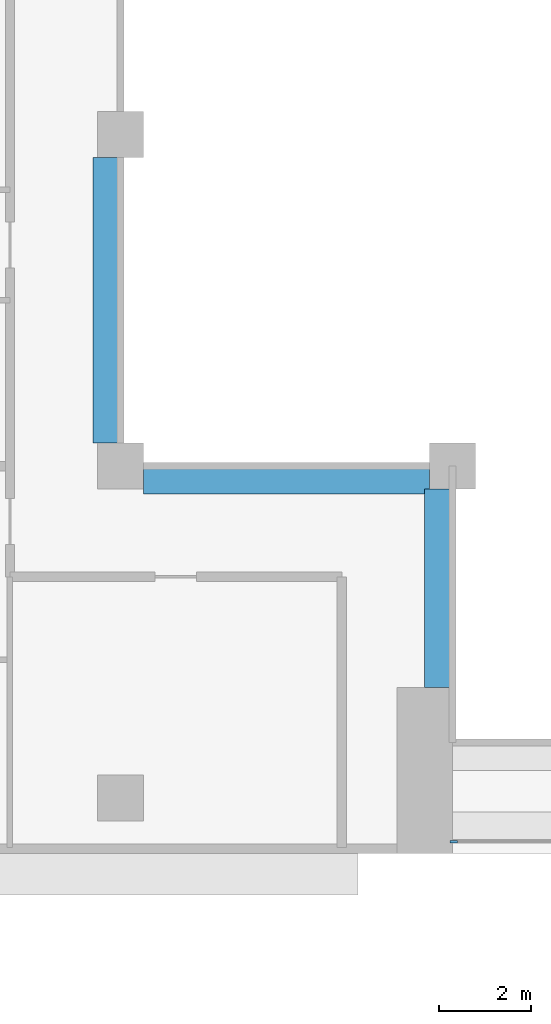
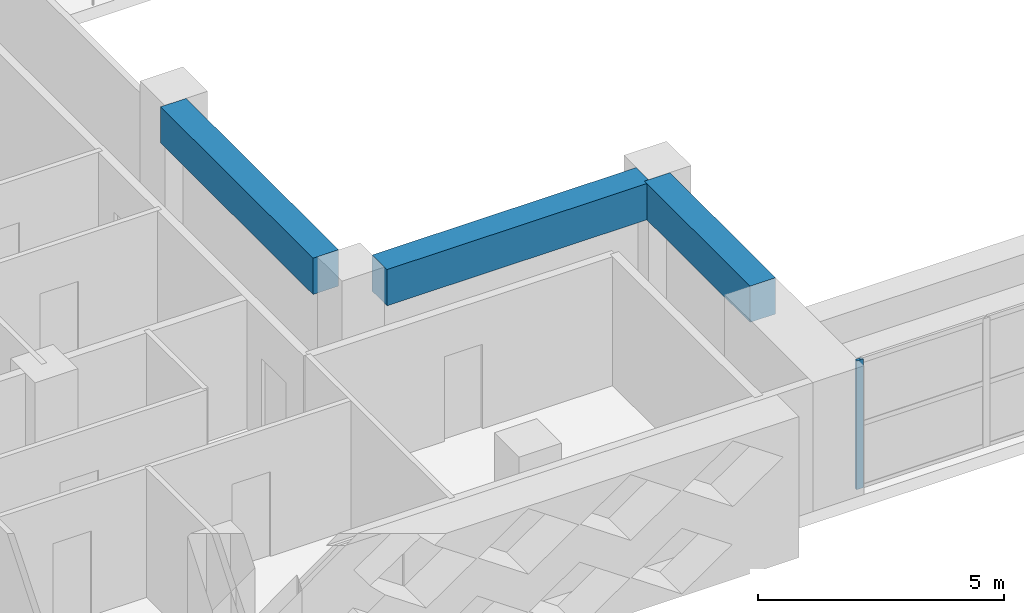
# One storey, part 2 of 20: 3 beams, 1 member, 1 element without a shape of its own.
"""IFC4 building model written with IfcOpenShell, lengths in metres."""

from ifc_helpers import new_model, si_unit, direction, frame, origin, origin_2d, place, context, subcontext, project, spatial, rectangle, extrude, source, transform, mapped, material, layer, layer_set, material_profile, profile_set, type_object, element, aggregate, save


model = new_model("IFC4")

# Units and contexts
model_context = context("Model", 3, precision=1e-05, world=origin(), true_north=direction((0.0, 1.0)))
body_context = subcontext(model_context, "Body", "Model", "MODEL_VIEW")
ifc_project = project(units=[si_unit("LENGTHUNIT", "METRE"), si_unit("AREAUNIT", "SQUARE_METRE"), si_unit("VOLUMEUNIT", "CUBIC_METRE"), si_unit("PLANEANGLEUNIT", "RADIAN"), si_unit("MASSUNIT", "GRAM", prefix="KILO")], contexts=[model_context])

# Site, building, storey
site_placement = place(None, origin())
site = spatial("IfcSite", under=ifc_project, at=site_placement, CompositionType="ELEMENT")
building_placement = place(site_placement, origin())
building = spatial("IfcBuilding", under=site, at=building_placement, Name="Saffron Iwan Residences", CompositionType="ELEMENT")
storey_placement = place(building_placement, frame((0.0, 0.0, 143.0)))
storey = spatial("IfcBuildingStorey", under=building, at=storey_placement, Name="L37", CompositionType="ELEMENT", Elevation=143.0)

# Beams
ifc_material_1 = material(Name="Concrete C50/60", Category="concrete")
ifc_material_profile_1 = material_profile(ifc_material_1, rectangle(XDim=0.60009765625, YDim=0.89990234375, at=origin_2d()), Name="RC 600x900")
ifc_profile_set_1 = profile_set([ifc_material_profile_1], Name="Concrete C50/60")
beam_type = type_object("IfcBeamType", Name="BEAM RC 600x900 C50/60 TOP 3200", PredefinedType="BEAM", material=ifc_profile_set_1)
shared_shape_1 = source(origin(), body_context, "Body", "SweptSolid", [
    extrude(rectangle(XDim=0.60009765625, YDim=0.89990234375, at=origin_2d()), origin(), (0.0, 0.0, 1.0), 4.300048828125),
])
beam_placement = place(storey_placement, frame((42.89990234375, 43.199951171875, 2.75), z_axis=(0.0, 1.0, 0.0), x_axis=(-1.0, 0.0, 0.0)))
element("IfcBeam", 1, at=beam_placement, inside=storey, type_object=beam_type, Name="Atrium edge beam", PredefinedType="BEAM", context=body_context, shape_type="MappedRepresentation", body=[
    mapped(shared_shape_1, transform((0.0, 0.0, 0.0))),
])
shared_shape_2 = source(origin(), body_context, "Body", "SweptSolid", [
    extrude(rectangle(XDim=0.60009765625, YDim=0.89990234375, at=origin_2d()), origin(), (0.0, 0.0, 1.0), 6.199951171875),
])
for number, where, z_axis, x_axis, name in (
    (2, (42.699951171875, 47.699951171875, 2.75), (-1.0, 0.0, 0.0), (0.0, -1.0, 0.0), "Atrium edge beam"),
    (3, (35.699951171875, 48.5, 2.75), (0.0, 1.0, 0.0), (-1.0, 0.0, 0.0), "Atrium edge beam"),
):
    element("IfcBeam", number, at=place(storey_placement, frame(where, z_axis=z_axis, x_axis=x_axis)), inside=storey, type_object=beam_type, Name=name, PredefinedType="BEAM", context=body_context, shape_type="MappedRepresentation", body=[
        mapped(shared_shape_2, transform((0.0, 0.0, 0.0))),
    ])

# Curtain wall, member
ifc_material_2 = material(Name="Clear glass, laminated double glazed", Category="glass")
ifc_layer = layer(ifc_material_2, 0.199951171875)
ifc_layer_set = layer_set([ifc_layer], Name="Clear glass, laminated double glazed")
curtain_wall_type = type_object("IfcCurtainWallType", Name="CW-B IWAN PORTAL", PredefinedType="NOTDEFINED", material=ifc_layer_set)
curtain_wall_placement = place(storey_placement, origin())
curtain_wall = element("IfcCurtainWall", 4, at=curtain_wall_placement, inside=storey, type_object=curtain_wall_type, Name="Iwan portal glazing L37.1", PredefinedType="NOTDEFINED")
ifc_material_3 = material(Name="Aluminium 6063-T6", Category="aluminium")
ifc_material_profile_2 = material_profile(ifc_material_3, rectangle(XDim=0.06005859375, YDim=0.159912109375, at=origin_2d()), Name="CW-B MULLION 60 x 160")
ifc_profile_set_2 = profile_set([ifc_material_profile_2], Name="Aluminium 6063-T6")
member_type = type_object("IfcMemberType", Name="CW-B MULLION 60 x 160", PredefinedType="MULLION", material=ifc_profile_set_2)
shared_shape_3 = source(origin(), body_context, "Body", "SweptSolid", [
    extrude(rectangle(XDim=0.06005859375, YDim=0.159912109375, at=origin_2d()), origin(), (0.0, 0.0, 1.0), 3.199951171875),
])
member_placement = place(storey_placement, frame((43.22998046875, 39.85009765625, 0.0), z_axis=(0.0, 0.0, 1.0), x_axis=(0.0, 1.0, 0.0)))
member = element("IfcMember", 5, at=member_placement, type_object=member_type, Name="CW-B mullion 1", PredefinedType="MULLION", context=body_context, shape_type="MappedRepresentation", body=[
    mapped(shared_shape_3, transform((0.0, 0.0, 0.0))),
])
aggregate(curtain_wall, [member])

save(model, "model.ifc")
